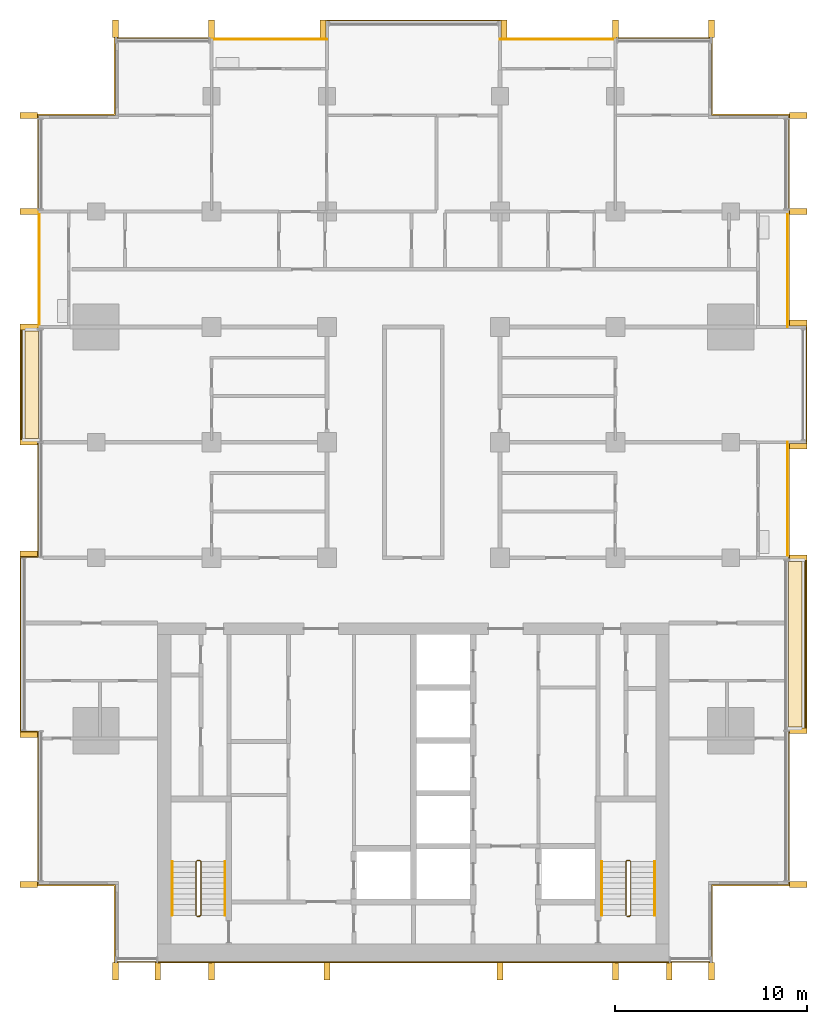
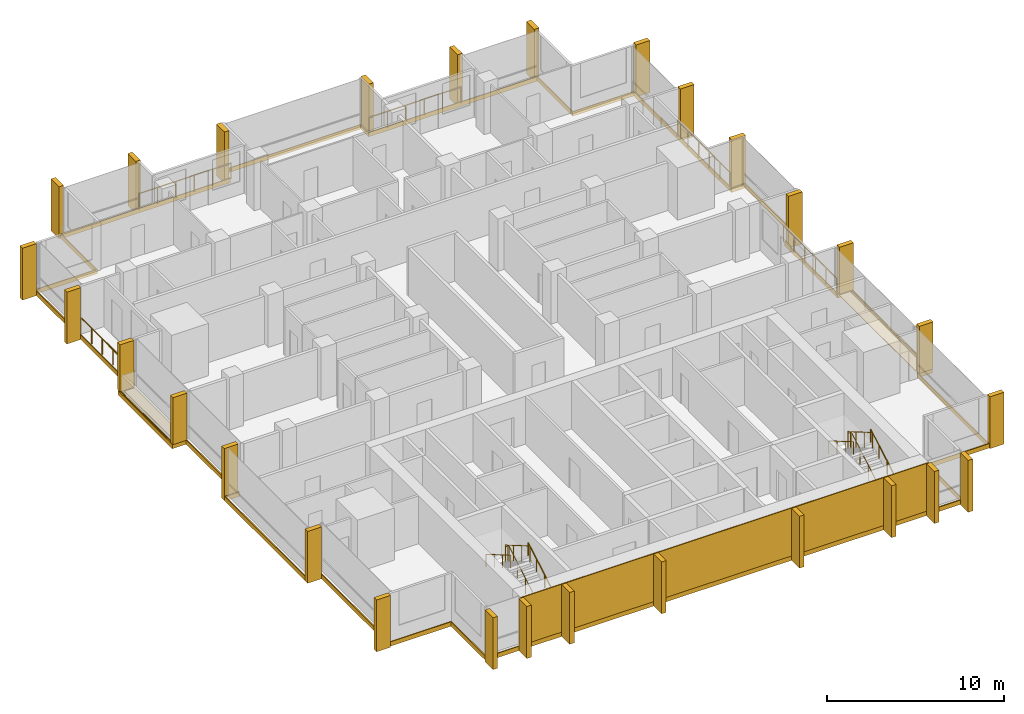
# One storey, part 17 of 17: 28 shading devices, 11 railings, 10 coverings.
"""IFC4 building model written with IfcOpenShell, lengths in metres."""

import ifcopenshell
import ifcopenshell.guid

model = None  # the IFC model being written
_history = None  # IfcOwnerHistory: only IFC2X3 demands one
_inside = {}  # id of a spatial element -> (the spatial element, [elements in it])
_under = {}  # id of a project, library or spatial element -> (it, [spatial elements below it])
_declared = {}  # id of a project -> (the project, [libraries it declares])
_typed = {}  # id of a type object -> (the type object, [elements of that type])
_made_of = {}  # id of a material, layer set ... -> (it, [elements and type objects made of it])


def new_model(schema):
    """Start an empty IFC model of exactly this schema.

    Asked for "IFC4X3", IfcOpenShell would pick the latest addendum, in which some entities
    have other attributes; the version numbers below select the first issue.
    IFC2X3 requires an IfcOwnerHistory on every rooted entity: one is made here for all.
    """
    global model, _history
    if schema == "IFC4X3":
        model = ifcopenshell.file(schema_version=(4, 3, 0, 0))
    else:
        model = ifcopenshell.file(schema=schema)
    _inside.clear()
    _under.clear()
    _declared.clear()
    _typed.clear()
    _made_of.clear()
    _history = None
    if model.schema == "IFC2X3":
        org = make("IfcOrganization", Name="unknown")
        user = make(
            "IfcPersonAndOrganization",
            ThePerson=make("IfcPerson", FamilyName="unknown"),
            TheOrganization=org,
        )
        app = make(
            "IfcApplication",
            ApplicationDeveloper=org,
            Version="unknown",
            ApplicationFullName="unknown",
            ApplicationIdentifier="unknown",
        )
        _history = make(
            "IfcOwnerHistory",
            OwningUser=user,
            OwningApplication=app,
            ChangeAction="ADDED",
            CreationDate=0,
        )
    return model


def make(cls, **values):
    """One entity of the class cls with the attributes given. An attribute that is None is left unset."""
    return model.create_entity(
        cls, **{name: value for name, value in values.items() if value is not None}
    )


def rooted(cls, **values):
    """An entity with a GlobalId (a new one), such as an element, a storey or a relation."""
    return make(cls, GlobalId=ifcopenshell.guid.new(), OwnerHistory=_history, **values)


def si_unit(unit_type, name, prefix=None):
    """IfcSIUnit, for example si_unit("LENGTHUNIT", "METRE", prefix="MILLI")."""
    return make("IfcSIUnit", UnitType=unit_type, Prefix=prefix, Name=name)


def assignment(units):
    """IfcUnitAssignment: the units of a project."""
    return None if units is None else make("IfcUnitAssignment", Units=units)


def point(xyz):
    """IfcCartesianPoint."""
    return None if xyz is None else make("IfcCartesianPoint", Coordinates=xyz)


def direction(xyz):
    """IfcDirection."""
    return None if xyz is None else make("IfcDirection", DirectionRatios=xyz)


def frame(location, z_axis=None, x_axis=None):
    """IfcAxis2Placement3D, a coordinate frame: its origin and axes. An axis left out is left unset."""
    return make(
        "IfcAxis2Placement3D",
        Location=point(location),
        Axis=direction(z_axis),
        RefDirection=direction(x_axis),
    )


def frame_2d(location, x_axis=None):
    """IfcAxis2Placement2D, a coordinate frame in the plane: its origin and x axis."""
    return make(
        "IfcAxis2Placement2D", Location=point(location), RefDirection=direction(x_axis)
    )


def origin():
    """The frame at (0, 0, 0) with its axes left unset."""
    return frame((0.0, 0.0, 0.0))


def origin_2d():
    """The frame at (0, 0) in the plane with its x axis left unset."""
    return frame_2d((0.0, 0.0))


def place(relative_to, where):
    """IfcLocalPlacement: puts the frame where relative to a parent placement (None: the world)."""
    return make(
        "IfcLocalPlacement", PlacementRelTo=relative_to, RelativePlacement=where
    )


def context(
    kind, dimensions, precision=None, world=None, true_north=None, identifier=None
):
    """IfcGeometricRepresentationContext, for example the 3D "Model" context."""
    return make(
        "IfcGeometricRepresentationContext",
        ContextIdentifier=identifier,
        ContextType=kind,
        CoordinateSpaceDimension=dimensions,
        Precision=precision,
        WorldCoordinateSystem=world,
        TrueNorth=true_north,
    )


def subcontext(parent, identifier, kind, view, scale=None):
    """IfcGeometricRepresentationSubContext, for example "Body" below "Model"."""
    return make(
        "IfcGeometricRepresentationSubContext",
        ContextIdentifier=identifier,
        ContextType=kind,
        ParentContext=parent,
        TargetScale=scale,
        TargetView=view,
    )


def project(units=None, contexts=None):
    """IfcProject with its units and contexts."""
    return rooted(
        "IfcProject",
        Name="project",
        RepresentationContexts=contexts,
        UnitsInContext=assignment(units),
    )


def spatial(cls, under=None, at=None, **own):
    """A site, building, storey or space (cls), placed at a placement, below another one or the project."""
    s = rooted(cls, ObjectPlacement=at, **own)
    if under is not None:
        _under.setdefault(under.id(), (under, []))[1].append(s)
    return s


def polyline(points):
    """IfcPolyline through the points."""
    return make("IfcPolyline", Points=[point(p) for p in points])


def profile(cls, at=None, kind="AREA", **sizes):
    """A parametric profile (cls). Its sizes go by their IFC names, for example OverallWidth=200.0."""
    return make(cls, ProfileType=kind, Position=at, **sizes)


def rectangle(**sizes):
    """IfcRectangleProfileDef."""
    return profile("IfcRectangleProfileDef", **sizes)


def circle(**sizes):
    """IfcCircleProfileDef."""
    return profile("IfcCircleProfileDef", **sizes)


def outline(outer, holes=None, kind="AREA"):
    """IfcArbitraryClosedProfileDef: a profile drawn as a closed curve; with holes, ...WithVoids."""
    if holes is None:
        return make("IfcArbitraryClosedProfileDef", ProfileType=kind, OuterCurve=outer)
    return make(
        "IfcArbitraryProfileDefWithVoids",
        ProfileType=kind,
        OuterCurve=outer,
        InnerCurves=holes,
    )


def extrude(swept, where, along, depth):
    """IfcExtrudedAreaSolid: the profile swept, set in the frame where, extruded along a direction by depth."""
    return make(
        "IfcExtrudedAreaSolid",
        SweptArea=swept,
        Position=where,
        ExtrudedDirection=direction(along),
        Depth=depth,
    )


def shape(context_of_items, identifier, shape_type, items):
    """IfcShapeRepresentation: the items that make up one representation, for example the "Body"."""
    return make(
        "IfcShapeRepresentation",
        ContextOfItems=context_of_items,
        RepresentationIdentifier=identifier,
        RepresentationType=shape_type,
        Items=items,
    )


def material(Name=None, Category=None):
    """IfcMaterial."""
    return make("IfcMaterial", Name=Name, Category=Category)


def layer(
    of_material, thickness, ventilated=None, Name=None, Category=None, Priority=None
):
    """IfcMaterialLayer: one layer of a wall or slab, of a material (None: an air gap)."""
    return make(
        "IfcMaterialLayer",
        Material=of_material,
        LayerThickness=thickness,
        IsVentilated=ventilated,
        Name=Name,
        Category=Category,
        Priority=Priority,
    )


def layer_set(layers, Name=None):
    """IfcMaterialLayerSet."""
    return make("IfcMaterialLayerSet", MaterialLayers=layers, LayerSetName=Name)


def made_of(thing, what):
    """Note that an element or type object is made of a material, layer set ...; save() writes the relation."""
    if what is not None:
        _made_of.setdefault(what.id(), (what, []))[1].append(thing)
    return thing


def type_object(cls, material=None, **own):
    """A type object (cls), such as IfcWallType, which elements share."""
    return made_of(rooted(cls, **own), material)


def element(
    cls,
    number,
    at=None,
    inside=None,
    cuts=None,
    type_object=None,
    material=None,
    context=None,
    identifier="Body",
    shape_type=None,
    held_by="IfcProductDefinitionShape",
    body=None,
    shapes=None,
    **own,
):
    """One element of the class cls, such as IfcWall. Its Tag is "e" and its number.

    at: its placement. inside: the storey or other place that contains it. cuts: it is an
    opening in that element (IfcRelVoidsElement). A single representation is given by context,
    identifier, shape_type and body (its items); several are given by shapes. held_by: the class
    of the entity that holds the representations. save() writes the other relations.
    """
    e = rooted(cls, Tag="e%d" % number, ObjectPlacement=at, **own)
    if body is not None:
        shapes = [shape(context, identifier, shape_type, body)]
    if shapes is not None:
        e.Representation = make(held_by, Representations=shapes)
    if inside is not None:
        _inside.setdefault(inside.id(), (inside, []))[1].append(e)
    if cuts is not None:
        rooted(
            "IfcRelVoidsElement", RelatingBuildingElement=cuts, RelatedOpeningElement=e
        )
    if type_object is not None:
        _typed.setdefault(type_object.id(), (type_object, []))[1].append(e)
    return made_of(e, material)


def aggregate(whole, parts):
    """IfcRelAggregates: a whole, such as a stair, and the parts it consists of."""
    return rooted("IfcRelAggregates", RelatingObject=whole, RelatedObjects=parts)


def save(model, path):
    """Write the relations noted so far, then the file.

    IfcRelAggregates (storeys below a building ...), IfcRelContainedInSpatialStructure (elements
    in a storey), IfcRelDefinesByType, IfcRelAssociatesMaterial and IfcRelDeclares: one each for
    every whole, place, type object, material and project.
    """
    for whole, parts in _under.values():
        aggregate(whole, parts)
    for where, things in _inside.values():
        rooted(
            "IfcRelContainedInSpatialStructure",
            RelatedElements=things,
            RelatingStructure=where,
        )
    for kind, things in _typed.values():
        rooted("IfcRelDefinesByType", RelatedObjects=things, RelatingType=kind)
    for what, things in _made_of.values():
        rooted("IfcRelAssociatesMaterial", RelatedObjects=things, RelatingMaterial=what)
    for by, libraries in _declared.values():
        rooted("IfcRelDeclares", RelatingContext=by, RelatedDefinitions=libraries)
    model.write(path)


model = new_model("IFC4")

# Units and contexts
model_context = context("Model", 3, precision=1e-05, world=origin(), true_north=direction((0.0, 1.0)))
body_context = subcontext(model_context, "Body", "Model", "MODEL_VIEW")
ifc_project = project(units=[si_unit("LENGTHUNIT", "METRE"), si_unit("AREAUNIT", "SQUARE_METRE"), si_unit("VOLUMEUNIT", "CUBIC_METRE"), si_unit("PLANEANGLEUNIT", "RADIAN"), si_unit("MASSUNIT", "GRAM", prefix="KILO")], contexts=[model_context])

# Site, building, storey
site_placement = place(None, origin())
site = spatial("IfcSite", under=ifc_project, at=site_placement, CompositionType="ELEMENT")
building_placement = place(site_placement, origin())
building = spatial("IfcBuilding", under=site, at=building_placement, Name="Finial Court Residences", CompositionType="ELEMENT")
storey_placement = place(building_placement, frame((0.0, 0.0, 181.699951171875)))
storey = spatial("IfcBuildingStorey", under=building, at=storey_placement, Name="L45", CompositionType="ELEMENT", Elevation=181.699951171875)

# Railings
ifc_material_1 = material(Name="Bronze anodised aluminium", Category="aluminium")
railing_type_1 = type_object("IfcRailingType", Name="Balcony guard 1100", PredefinedType="GUARDRAIL", material=ifc_material_1)
for number, where, name in (
    (1, (-10.5, 22.449951171875, 0.0), "E-L45-BALN2-R"),
    (2, (4.5, 22.449951171875, 0.0), "E-L45-BALN4-R"),
):
    element("IfcRailing", number, at=place(storey_placement, frame(where)), inside=storey, type_object=railing_type_1, Name=name, PredefinedType="GUARDRAIL", context=body_context, shape_type="SweptSolid", body=[
        extrude(circle(Radius=0.02392578125, at=origin_2d()), frame((0.0, 0.0, 1.076171875), z_axis=(1.0, 0.0, 0.0), x_axis=(0.0, 1.0, 0.0)), (0.0, 0.0, 1.0), 6.0),
        extrude(circle(Radius=0.02099609375, at=origin_2d()), origin(), (0.0, 0.0, 1.0), 1.052001953125),
        extrude(circle(Radius=0.02099609375, at=origin_2d()), frame((1.199951171875, 0.0, 0.0)), (0.0, 0.0, 1.0), 1.052001953125),
        extrude(circle(Radius=0.02099609375, at=origin_2d()), frame((2.39990234375, 0.0, 0.0)), (0.0, 0.0, 1.0), 1.052001953125),
        extrude(circle(Radius=0.02099609375, at=origin_2d()), frame((3.60009765625, 0.0, 0.0)), (0.0, 0.0, 1.0), 1.052001953125),
        extrude(circle(Radius=0.02099609375, at=origin_2d()), frame((4.800048828125, 0.0, 0.0)), (0.0, 0.0, 1.0), 1.052001953125),
        extrude(circle(Radius=0.02099609375, at=origin_2d()), frame((6.0, 0.0, 0.0)), (0.0, 0.0, 1.0), 1.052001953125),
    ])
for number, where, name in (
    (3, (19.449951171875, -4.5, 0.0), "E-L45-BALE3-R"),
    (4, (19.449951171875, 7.5, 0.0), "E-L45-BALE5-R"),
    (5, (-19.449951171875, 7.5, 0.0), "E-L45-BALW5-R"),
):
    element("IfcRailing", number, at=place(storey_placement, frame(where)), inside=storey, type_object=railing_type_1, Name=name, PredefinedType="GUARDRAIL", context=body_context, shape_type="SweptSolid", body=[
        extrude(circle(Radius=0.02392578125, at=origin_2d()), frame((0.0, 0.0, 1.076171875), z_axis=(0.0, 1.0, 0.0), x_axis=(-1.0, 0.0, 0.0)), (0.0, 0.0, 1.0), 6.0),
        extrude(circle(Radius=0.02099609375, at=origin_2d()), origin(), (0.0, 0.0, 1.0), 1.052001953125),
        extrude(circle(Radius=0.02099609375, at=origin_2d()), frame((0.0, 1.199951171875, 0.0)), (0.0, 0.0, 1.0), 1.052001953125),
        extrude(circle(Radius=0.02099609375, at=origin_2d()), frame((0.0, 2.39990234375, 0.0)), (0.0, 0.0, 1.0), 1.052001953125),
        extrude(circle(Radius=0.02099609375, at=origin_2d()), frame((0.0, 3.60009765625, 0.0)), (0.0, 0.0, 1.0), 1.052001953125),
        extrude(circle(Radius=0.02099609375, at=origin_2d()), frame((0.0, 4.800048828125, 0.0)), (0.0, 0.0, 1.0), 1.052001953125),
        extrude(circle(Radius=0.02099609375, at=origin_2d()), frame((0.0, 6.0, 0.0)), (0.0, 0.0, 1.0), 1.052001953125),
    ])

# Coverings
ifc_material_2 = material(Name="Natural limestone", Category="masonry")
ifc_layer_1 = layer(ifc_material_2, 0.06005859375)
ifc_layer_set_1 = layer_set([ifc_layer_1], Name="Limestone cladding to the blind core face 60")
covering_type_1 = type_object("IfcCoveringType", Name="Limestone cladding to the blind core face 60", PredefinedType="CLADDING", material=ifc_layer_set_1)
covering_1_placement = place(storey_placement, origin())
element("IfcCovering", 6, at=covering_1_placement, inside=storey, type_object=covering_type_1, Name="E-L45-CLAD1", PredefinedType="CLADDING", context=body_context, shape_type="SweptSolid", body=[
    extrude(outline(polyline([(-10.5, -25.56005859375), (-10.5, -25.5), (-13.300048828125, -25.5), (-13.300048828125, -25.56005859375), (-10.5, -25.56005859375)])), origin(), (0.0, 0.0, 1.0), 3.300048828125),
])
covering_2_placement = place(storey_placement, origin())
element("IfcCovering", 7, at=covering_2_placement, inside=storey, type_object=covering_type_1, Name="E-L45-CLAD2", PredefinedType="CLADDING", context=body_context, shape_type="SweptSolid", body=[
    extrude(outline(polyline([(-4.5, -25.56005859375), (-4.5, -25.5), (-10.5, -25.5), (-10.5, -25.56005859375), (-4.5, -25.56005859375)])), origin(), (0.0, 0.0, 1.0), 3.300048828125),
])
covering_3_placement = place(storey_placement, origin())
element("IfcCovering", 8, at=covering_3_placement, inside=storey, type_object=covering_type_1, Name="E-L45-CLAD3", PredefinedType="CLADDING", context=body_context, shape_type="SweptSolid", body=[
    extrude(outline(polyline([(4.5, -25.56005859375), (4.5, -25.5), (-4.5, -25.5), (-4.5, -25.56005859375), (4.5, -25.56005859375)])), origin(), (0.0, 0.0, 1.0), 3.300048828125),
])
covering_4_placement = place(storey_placement, origin())
element("IfcCovering", 9, at=covering_4_placement, inside=storey, type_object=covering_type_1, Name="E-L45-CLAD4", PredefinedType="CLADDING", context=body_context, shape_type="SweptSolid", body=[
    extrude(outline(polyline([(10.5, -25.56005859375), (10.5, -25.5), (4.5, -25.5), (4.5, -25.56005859375), (10.5, -25.56005859375)])), origin(), (0.0, 0.0, 1.0), 3.300048828125),
])
covering_5_placement = place(storey_placement, origin())
element("IfcCovering", 10, at=covering_5_placement, inside=storey, type_object=covering_type_1, Name="E-L45-CLAD5", PredefinedType="CLADDING", context=body_context, shape_type="SweptSolid", body=[
    extrude(outline(polyline([(13.300048828125, -25.56005859375), (13.300048828125, -25.5), (10.5, -25.5), (10.5, -25.56005859375), (13.300048828125, -25.56005859375)])), origin(), (0.0, 0.0, 1.0), 3.300048828125),
])

# Shading devices
shading_device_type = type_object("IfcShadingDeviceType", Name="Limestone fin 300 x 900", PredefinedType="USERDEFINED", material=ifc_material_2)
for number, where, z_axis, x_axis, name in (
    (11, (-15.5, 23.010009765625, -0.300048828125), (0.0, 0.0, 1.0), (1.0, 0.0, 0.0), "E-L45-FIN-N1"),
    (12, (-10.5, 23.010009765625, -0.300048828125), (0.0, 0.0, 1.0), (1.0, 0.0, 0.0), "E-L45-FIN-N2"),
    (13, (-4.7099609375, 23.010009765625, -0.300048828125), (0.0, 0.0, 1.0), (1.0, 0.0, 0.0), "E-L45-FIN-N3"),
    (14, (4.7099609375, 23.010009765625, -0.300048828125), (0.0, 0.0, 1.0), (1.0, 0.0, 0.0), "E-L45-FIN-N4"),
    (15, (10.5, 23.010009765625, -0.300048828125), (0.0, 0.0, 1.0), (1.0, 0.0, 0.0), "E-L45-FIN-N5"),
    (16, (15.5, 23.010009765625, -0.300048828125), (0.0, 0.0, 1.0), (1.0, 0.0, 0.0), "E-L45-FIN-N6"),
):
    element("IfcShadingDevice", number, at=place(storey_placement, frame(where, z_axis=z_axis, x_axis=x_axis)), inside=storey, type_object=shading_device_type, Name=name, ObjectType="FIN", PredefinedType="USERDEFINED", context=body_context, shape_type="SweptSolid", body=[
        extrude(rectangle(XDim=0.300048828125, YDim=0.89990234375, at=origin_2d()), origin(), (0.0, 0.0, 1.0), 3.580078125),
    ])
shading_device_placement = place(storey_placement, frame((20.010009765625, -21.5, -0.300048828125), z_axis=(0.0, 0.0, 1.0), x_axis=(1.0, 0.0, 0.0)))
element("IfcShadingDevice", 17, at=shading_device_placement, inside=storey, type_object=shading_device_type, Name="E-L45-FIN-E7", ObjectType="FIN", PredefinedType="USERDEFINED", context=body_context, shape_type="SweptSolid", body=[
    extrude(rectangle(XDim=0.89990234375, YDim=0.300048828125, at=origin_2d()), origin(), (0.0, 0.0, 1.0), 3.580078125),
])
for number, where, z_axis, x_axis, name in (
    (18, (20.010009765625, -13.5, 0.0400390625), (0.0, 0.0, 1.0), (1.0, 0.0, 0.0), "E-L45-FIN-E8"),
    (19, (20.010009765625, -4.5, 0.0400390625), (0.0, 0.0, 1.0), (1.0, 0.0, 0.0), "E-L45-FIN-E9"),
):
    element("IfcShadingDevice", number, at=place(storey_placement, frame(where, z_axis=z_axis, x_axis=x_axis)), inside=storey, type_object=shading_device_type, Name=name, ObjectType="FIN", PredefinedType="USERDEFINED", context=body_context, shape_type="SweptSolid", body=[
        extrude(rectangle(XDim=0.89990234375, YDim=0.300048828125, at=origin_2d()), origin(), (0.0, 0.0, 1.0), 3.239990234375),
    ])
for number, where, z_axis, x_axis, name in (
    (20, (20.010009765625, 1.2900390625, -0.300048828125), (0.0, 0.0, 1.0), (1.0, 0.0, 0.0), "E-L45-FIN-E10"),
    (21, (20.010009765625, 7.7099609375, -0.300048828125), (0.0, 0.0, 1.0), (1.0, 0.0, 0.0), "E-L45-FIN-E11"),
    (22, (20.010009765625, 13.5, -0.300048828125), (0.0, 0.0, 1.0), (1.0, 0.0, 0.0), "E-L45-FIN-E12"),
    (23, (20.010009765625, 18.5, -0.300048828125), (0.0, 0.0, 1.0), (1.0, 0.0, 0.0), "E-L45-FIN-E13"),
):
    element("IfcShadingDevice", number, at=place(storey_placement, frame(where, z_axis=z_axis, x_axis=x_axis)), inside=storey, type_object=shading_device_type, Name=name, ObjectType="FIN", PredefinedType="USERDEFINED", context=body_context, shape_type="SweptSolid", body=[
        extrude(rectangle(XDim=0.89990234375, YDim=0.300048828125, at=origin_2d()), origin(), (0.0, 0.0, 1.0), 3.580078125),
    ])
for number, where, z_axis, x_axis, name in (
    (24, (-15.5, -26.010009765625, -0.300048828125), (0.0, 0.0, 1.0), (1.0, 0.0, 0.0), "E-L45-FIN-S14"),
    (25, (-13.300048828125, -26.010009765625, -0.300048828125), (0.0, 0.0, 1.0), (1.0, 0.0, 0.0), "E-L45-FIN-S15"),
    (26, (-10.5, -26.010009765625, -0.300048828125), (0.0, 0.0, 1.0), (1.0, 0.0, 0.0), "E-L45-FIN-S16"),
    (27, (-4.5, -26.010009765625, -0.300048828125), (0.0, 0.0, 1.0), (1.0, 0.0, 0.0), "E-L45-FIN-S17"),
    (28, (4.5, -26.010009765625, -0.300048828125), (0.0, 0.0, 1.0), (1.0, 0.0, 0.0), "E-L45-FIN-S18"),
    (29, (10.5, -26.010009765625, -0.300048828125), (0.0, 0.0, 1.0), (1.0, 0.0, 0.0), "E-L45-FIN-S19"),
    (30, (13.300048828125, -26.010009765625, -0.300048828125), (0.0, 0.0, 1.0), (1.0, 0.0, 0.0), "E-L45-FIN-S20"),
    (31, (15.5, -26.010009765625, -0.300048828125), (0.0, 0.0, 1.0), (1.0, 0.0, 0.0), "E-L45-FIN-S21"),
):
    element("IfcShadingDevice", number, at=place(storey_placement, frame(where, z_axis=z_axis, x_axis=x_axis)), inside=storey, type_object=shading_device_type, Name=name, ObjectType="FIN", PredefinedType="USERDEFINED", context=body_context, shape_type="SweptSolid", body=[
        extrude(rectangle(XDim=0.300048828125, YDim=0.89990234375, at=origin_2d()), origin(), (0.0, 0.0, 1.0), 3.580078125),
    ])
for number, where, z_axis, x_axis, name in (
    (32, (-20.010009765625, -21.5, -0.300048828125), (0.0, 0.0, 1.0), (1.0, 0.0, 0.0), "E-L45-FIN-W22"),
    (33, (-20.010009765625, -13.7099609375, -0.300048828125), (0.0, 0.0, 1.0), (1.0, 0.0, 0.0), "E-L45-FIN-W23"),
    (34, (-20.010009765625, -4.2900390625, -0.300048828125), (0.0, 0.0, 1.0), (1.0, 0.0, 0.0), "E-L45-FIN-W24"),
):
    element("IfcShadingDevice", number, at=place(storey_placement, frame(where, z_axis=z_axis, x_axis=x_axis)), inside=storey, type_object=shading_device_type, Name=name, ObjectType="FIN", PredefinedType="USERDEFINED", context=body_context, shape_type="SweptSolid", body=[
        extrude(rectangle(XDim=0.89990234375, YDim=0.300048828125, at=origin_2d()), origin(), (0.0, 0.0, 1.0), 3.580078125),
    ])
for number, where, z_axis, x_axis, name in (
    (35, (-20.010009765625, 1.5, 0.0400390625), (0.0, 0.0, 1.0), (1.0, 0.0, 0.0), "E-L45-FIN-W25"),
    (36, (-20.010009765625, 7.5, 0.0400390625), (0.0, 0.0, 1.0), (1.0, 0.0, 0.0), "E-L45-FIN-W26"),
):
    element("IfcShadingDevice", number, at=place(storey_placement, frame(where, z_axis=z_axis, x_axis=x_axis)), inside=storey, type_object=shading_device_type, Name=name, ObjectType="FIN", PredefinedType="USERDEFINED", context=body_context, shape_type="SweptSolid", body=[
        extrude(rectangle(XDim=0.89990234375, YDim=0.300048828125, at=origin_2d()), origin(), (0.0, 0.0, 1.0), 3.239990234375),
    ])
for number, where, z_axis, x_axis, name in (
    (37, (-20.010009765625, 13.5, -0.300048828125), (0.0, 0.0, 1.0), (1.0, 0.0, 0.0), "E-L45-FIN-W27"),
    (38, (-20.010009765625, 18.5, -0.300048828125), (0.0, 0.0, 1.0), (1.0, 0.0, 0.0), "E-L45-FIN-W28"),
):
    element("IfcShadingDevice", number, at=place(storey_placement, frame(where, z_axis=z_axis, x_axis=x_axis)), inside=storey, type_object=shading_device_type, Name=name, ObjectType="FIN", PredefinedType="USERDEFINED", context=body_context, shape_type="SweptSolid", body=[
        extrude(rectangle(XDim=0.89990234375, YDim=0.300048828125, at=origin_2d()), origin(), (0.0, 0.0, 1.0), 3.580078125),
    ])

# Coverings
ifc_material_3 = material(Name="Pale limestone", Category="masonry")
ifc_layer_2 = layer(ifc_material_3, 0.06005859375)
ifc_layer_set_2 = layer_set([ifc_layer_2], Name="Pale limestone slab-edge band 60")
covering_type_2 = type_object("IfcCoveringType", Name="Pale limestone slab-edge band 60", PredefinedType="CLADDING", material=ifc_layer_set_2)
covering_6_placement = place(storey_placement, frame((0.0, 0.0, -0.300048828125)))
element("IfcCovering", 39, at=covering_6_placement, inside=storey, type_object=covering_type_2, Name="E-L45-BAND1", PredefinedType="CLADDING", context=body_context, shape_type="SweptSolid", body=[
    extrude(outline(polyline([(19.56005859375, -13.56005859375), (19.56005859375, -21.56005859375), (15.56005859375, -21.56005859375), (15.56005859375, -25.56005859375), (-15.56005859375, -25.56005859375), (-15.56005859375, -21.56005859375), (-19.56005859375, -21.56005859375), (-19.56005859375, -13.56005859375), (-20.4599609375, -13.56005859375), (-20.4599609375, -4.43994140625), (-19.56005859375, -4.43994140625), (-19.56005859375, 1.43994140625), (-20.4599609375, 1.43994140625), (-20.4599609375, 7.56005859375), (-19.56005859375, 7.56005859375), (-19.56005859375, 18.56005859375), (-15.56005859375, 18.56005859375), (-15.56005859375, 22.56005859375), (-4.56005859375, 22.56005859375), (-4.56005859375, 23.4599609375), (4.56005859375, 23.4599609375), (4.56005859375, 22.56005859375), (15.56005859375, 22.56005859375), (15.56005859375, 18.56005859375), (19.56005859375, 18.56005859375), (19.56005859375, 7.56005859375), (20.4599609375, 7.56005859375), (20.4599609375, 1.43994140625), (19.56005859375, 1.43994140625), (19.56005859375, -4.43994140625), (20.4599609375, -4.43994140625), (20.4599609375, -13.56005859375), (19.56005859375, -13.56005859375)]), holes=[polyline([(20.39990234375, -4.5), (19.5, -4.5), (19.5, 1.5), (20.39990234375, 1.5), (20.39990234375, 7.5), (19.5, 7.5), (19.5, 13.5), (19.5, 18.5), (15.5, 18.5), (15.5, 22.5), (10.5, 22.5), (4.5, 22.5), (4.5, 23.39990234375), (-4.5, 23.39990234375), (-4.5, 22.5), (-10.5, 22.5), (-15.5, 22.5), (-15.5, 18.5), (-19.5, 18.5), (-19.5, 13.5), (-19.5, 7.5), (-20.39990234375, 7.5), (-20.39990234375, 1.5), (-19.5, 1.5), (-19.5, -4.5), (-20.39990234375, -4.5), (-20.39990234375, -13.5), (-19.5, -13.5), (-19.5, -21.5), (-15.5, -21.5), (-15.5, -25.5), (15.5, -25.5), (15.5, -21.5), (19.5, -21.5), (19.5, -13.5), (20.39990234375, -13.5), (20.39990234375, -4.5)])]), origin(), (0.0, 0.0, 1.0), 0.300048828125),
])
ifc_material_4 = material(Name="Bitumen membrane")
ifc_layer_3 = layer(ifc_material_4, 0.0400390625)
ifc_layer_set_3 = layer_set([ifc_layer_3], Name="Push box roofing, bitumen membrane 40")
covering_type_3 = type_object("IfcCoveringType", Name="Push box roofing, bitumen membrane 40", PredefinedType="ROOFING", material=ifc_layer_set_3)
covering_7_placement = place(storey_placement, origin())
element("IfcCovering", 40, at=covering_7_placement, inside=storey, type_object=covering_type_3, Name="E-L45-LED1", PredefinedType="ROOFING", context=body_context, shape_type="SweptSolid", body=[
    extrude(outline(polyline([(-19.5, 7.449951171875), (-20.199951171875, 7.449951171875), (-20.35009765625, 7.449951171875), (-20.35009765625, 1.699951171875), (-20.35009765625, 1.699951171875), (-20.35009765625, 1.550048828125), (-19.5, 1.550048828125), (-19.5, 1.5), (-20.39990234375, 1.5), (-20.39990234375, 7.5), (-19.5, 7.5), (-19.5, 7.449951171875)])), origin(), (0.0, 0.0, 1.0), 0.0400390625),
])
covering_8_placement = place(storey_placement, origin())
element("IfcCovering", 41, at=covering_8_placement, inside=storey, type_object=covering_type_3, Name="E-L45-LED1b", PredefinedType="ROOFING", context=body_context, shape_type="SweptSolid", body=[
    extrude(outline(polyline([(-19.5, 1.699951171875), (-20.199951171875, 1.699951171875), (-20.199951171875, 7.300048828125), (-19.5, 7.300048828125), (-19.5, 1.699951171875)])), origin(), (0.0, 0.0, 1.0), 0.0400390625),
])
covering_9_placement = place(storey_placement, origin())
element("IfcCovering", 42, at=covering_9_placement, inside=storey, type_object=covering_type_3, Name="E-L45-LED2", PredefinedType="ROOFING", context=body_context, shape_type="SweptSolid", body=[
    extrude(outline(polyline([(19.5, -13.449951171875), (20.199951171875, -13.449951171875), (20.35009765625, -13.449951171875), (20.35009765625, -4.699951171875), (20.35009765625, -4.699951171875), (20.35009765625, -4.550048828125), (19.5, -4.550048828125), (19.5, -4.5), (20.39990234375, -4.5), (20.39990234375, -13.5), (19.5, -13.5), (19.5, -13.449951171875)])), origin(), (0.0, 0.0, 1.0), 0.0400390625),
])
covering_10_placement = place(storey_placement, origin())
element("IfcCovering", 43, at=covering_10_placement, inside=storey, type_object=covering_type_3, Name="E-L45-LED2b", PredefinedType="ROOFING", context=body_context, shape_type="SweptSolid", body=[
    extrude(outline(polyline([(19.5, -4.699951171875), (20.199951171875, -4.699951171875), (20.199951171875, -13.300048828125), (19.5, -13.300048828125), (19.5, -4.699951171875)])), origin(), (0.0, 0.0, 1.0), 0.0400390625),
])

# Railings
ifc_material_5 = material(Name="Stainless steel railing", Category="steel")
railing_type_2 = type_object("IfcRailingType", Name="Stair guard 1100", PredefinedType="GUARDRAIL", material=ifc_material_5)
railing_1_placement = place(storey_placement, frame((-11.10009765625, -23.14990234375, 0.0)))
element("IfcRailing", 44, at=railing_1_placement, inside=storey, type_object=railing_type_2, Name="L45 ST-1 stair guard 1", PredefinedType="GUARDRAIL", context=body_context, shape_type="SweptSolid", body=[
    extrude(circle(Radius=0.02392578125, at=origin_2d()), frame((0.0, 0.0, 1.076171875), z_axis=(-1.0, 0.0, 0.0), x_axis=(0.0, -1.0, 0.0)), (0.0, 0.0, 1.0), 0.14990234375),
    extrude(circle(Radius=0.02392578125, at=origin_2d()), frame((-0.14990234375, 0.0, 1.076171875), z_axis=(0.760004195007, 0.189305074214, 0.621737253547), x_axis=(-0.241699205484, 0.970351222016, 0.0)), (0.0, 0.0, 1.0), 0.26318359375),
    extrude(circle(Radius=0.02392578125, at=origin_2d()), frame((0.050048828125, 0.0498046875, 1.23974609375), z_axis=(0.0, 0.863360870873, 0.504586966384), x_axis=(-1.0, 0.0, 0.0)), (0.0, 0.0, 1.0), 3.2431640625),
    extrude(circle(Radius=0.02392578125, at=origin_2d()), frame((0.050048828125, 2.849853515625, 2.8759765625), z_axis=(-0.707106781187, 0.707106781187, 0.0), x_axis=(-0.707106781187, -0.707106781187, 0.0)), (0.0, 0.0, 1.0), 0.07080078125),
    extrude(circle(Radius=0.02392578125, at=origin_2d()), frame((0.0, 2.89990234375, 2.8759765625), z_axis=(-1.0, 0.0, 0.0), x_axis=(0.0, -1.0, 0.0)), (0.0, 0.0, 1.0), 0.14990234375),
    extrude(circle(Radius=0.02392578125, at=origin_2d()), frame((-0.14990234375, 2.89990234375, 2.8759765625), z_axis=(-0.280808744504, -0.280808744504, 0.917765164963), x_axis=(0.707106781187, -0.707106781187, 0.0)), (0.0, 0.0, 1.0), 0.17822265625),
    extrude(circle(Radius=0.02392578125, at=origin_2d()), frame((-0.199951171875, 2.849853515625, 3.03955078125), z_axis=(0.0, -0.863360870873, 0.504586966384), x_axis=(1.0, 0.0, 0.0)), (0.0, 0.0, 1.0), 3.2431640625),
    extrude(circle(Radius=0.02099609375, at=origin_2d()), origin(), (0.0, 0.0, 1.0), 1.052001953125),
    extrude(circle(Radius=0.02099609375, at=origin_2d()), frame((-0.14990234375, 0.0, 0.0)), (0.0, 0.0, 1.0), 1.052001953125),
    extrude(circle(Radius=0.02099609375, at=origin_2d()), frame((0.050048828125, 0.0498046875, 0.16357421875)), (0.0, 0.0, 1.0), 1.052001953125),
    extrude(circle(Radius=0.02099609375, at=origin_2d()), frame((0.050048828125, 0.983154296875, 0.708984375)), (0.0, 0.0, 1.0), 1.052001953125),
    extrude(circle(Radius=0.02099609375, at=origin_2d()), frame((0.050048828125, 1.91650390625, 1.254638671875)), (0.0, 0.0, 1.0), 1.052001953125),
    extrude(circle(Radius=0.02099609375, at=origin_2d()), frame((0.050048828125, 2.849853515625, 1.800048828125)), (0.0, 0.0, 1.0), 1.052001953125),
    extrude(circle(Radius=0.02099609375, at=origin_2d()), frame((0.0, 2.89990234375, 1.800048828125)), (0.0, 0.0, 1.0), 1.052001953125),
    extrude(circle(Radius=0.02099609375, at=origin_2d()), frame((-0.14990234375, 2.89990234375, 1.800048828125)), (0.0, 0.0, 1.0), 1.052001953125),
    extrude(circle(Radius=0.02099609375, at=origin_2d()), frame((-0.199951171875, 2.849853515625, 1.963623046875)), (0.0, 0.0, 1.0), 1.052001953125),
    extrude(circle(Radius=0.02099609375, at=origin_2d()), frame((-0.199951171875, 1.91650390625, 2.509033203125)), (0.0, 0.0, 1.0), 1.052001953125),
    extrude(circle(Radius=0.02099609375, at=origin_2d()), frame((-0.199951171875, 0.983154296875, 3.0546875)), (0.0, 0.0, 1.0), 1.052001953125),
    extrude(circle(Radius=0.02099609375, at=origin_2d()), frame((-0.199951171875, 0.0498046875, 3.60009765625)), (0.0, 0.0, 1.0), 1.052001953125),
])
railing_2_placement = place(storey_placement, frame((11.25, -23.14990234375, 0.0)))
element("IfcRailing", 45, at=railing_2_placement, inside=storey, type_object=railing_type_2, Name="L45 ST-2 stair guard 1", PredefinedType="GUARDRAIL", context=body_context, shape_type="SweptSolid", body=[
    extrude(circle(Radius=0.02392578125, at=origin_2d()), frame((0.0, 0.0, 1.076171875), z_axis=(-1.0, 0.0, 0.0), x_axis=(0.0, -1.0, 0.0)), (0.0, 0.0, 1.0), 0.14990234375),
    extrude(circle(Radius=0.02392578125, at=origin_2d()), frame((-0.14990234375, 0.0, 1.076171875), z_axis=(0.760004195007, 0.189305074214, 0.621737253547), x_axis=(-0.241699205484, 0.970351222016, 0.0)), (0.0, 0.0, 1.0), 0.26318359375),
    extrude(circle(Radius=0.02392578125, at=origin_2d()), frame((0.050048828125, 0.0498046875, 1.23974609375), z_axis=(0.0, 0.863360870873, 0.504586966384), x_axis=(-1.0, 0.0, 0.0)), (0.0, 0.0, 1.0), 3.2431640625),
    extrude(circle(Radius=0.02392578125, at=origin_2d()), frame((0.050048828125, 2.849853515625, 2.8759765625), z_axis=(-0.707106781187, 0.707106781187, 0.0), x_axis=(-0.707106781187, -0.707106781187, 0.0)), (0.0, 0.0, 1.0), 0.07080078125),
    extrude(circle(Radius=0.02392578125, at=origin_2d()), frame((0.0, 2.89990234375, 2.8759765625), z_axis=(-1.0, 0.0, 0.0), x_axis=(0.0, -1.0, 0.0)), (0.0, 0.0, 1.0), 0.14990234375),
    extrude(circle(Radius=0.02392578125, at=origin_2d()), frame((-0.14990234375, 2.89990234375, 2.8759765625), z_axis=(-0.280808744504, -0.280808744504, 0.917765164963), x_axis=(0.707106781187, -0.707106781187, 0.0)), (0.0, 0.0, 1.0), 0.17822265625),
    extrude(circle(Radius=0.02392578125, at=origin_2d()), frame((-0.199951171875, 2.849853515625, 3.03955078125), z_axis=(0.0, -0.863360870873, 0.504586966384), x_axis=(1.0, 0.0, 0.0)), (0.0, 0.0, 1.0), 3.2431640625),
    extrude(circle(Radius=0.02099609375, at=origin_2d()), origin(), (0.0, 0.0, 1.0), 1.052001953125),
    extrude(circle(Radius=0.02099609375, at=origin_2d()), frame((-0.14990234375, 0.0, 0.0)), (0.0, 0.0, 1.0), 1.052001953125),
    extrude(circle(Radius=0.02099609375, at=origin_2d()), frame((0.050048828125, 0.0498046875, 0.16357421875)), (0.0, 0.0, 1.0), 1.052001953125),
    extrude(circle(Radius=0.02099609375, at=origin_2d()), frame((0.050048828125, 0.983154296875, 0.708984375)), (0.0, 0.0, 1.0), 1.052001953125),
    extrude(circle(Radius=0.02099609375, at=origin_2d()), frame((0.050048828125, 1.91650390625, 1.254638671875)), (0.0, 0.0, 1.0), 1.052001953125),
    extrude(circle(Radius=0.02099609375, at=origin_2d()), frame((0.050048828125, 2.849853515625, 1.800048828125)), (0.0, 0.0, 1.0), 1.052001953125),
    extrude(circle(Radius=0.02099609375, at=origin_2d()), frame((0.0, 2.89990234375, 1.800048828125)), (0.0, 0.0, 1.0), 1.052001953125),
    extrude(circle(Radius=0.02099609375, at=origin_2d()), frame((-0.14990234375, 2.89990234375, 1.800048828125)), (0.0, 0.0, 1.0), 1.052001953125),
    extrude(circle(Radius=0.02099609375, at=origin_2d()), frame((-0.199951171875, 2.849853515625, 1.963623046875)), (0.0, 0.0, 1.0), 1.052001953125),
    extrude(circle(Radius=0.02099609375, at=origin_2d()), frame((-0.199951171875, 1.91650390625, 2.509033203125)), (0.0, 0.0, 1.0), 1.052001953125),
    extrude(circle(Radius=0.02099609375, at=origin_2d()), frame((-0.199951171875, 0.983154296875, 3.0546875)), (0.0, 0.0, 1.0), 1.052001953125),
    extrude(circle(Radius=0.02099609375, at=origin_2d()), frame((-0.199951171875, 0.0498046875, 3.60009765625)), (0.0, 0.0, 1.0), 1.052001953125),
])
railing_type_3 = type_object("IfcRailingType", Name="Stair handrail 900", PredefinedType="HANDRAIL", material=ifc_material_5)
railing_3_placement = place(storey_placement, frame((-9.800048828125, -23.10009765625, 0.16357421875)))
element("IfcRailing", 46, at=railing_3_placement, inside=storey, type_object=railing_type_3, Name="L45 ST-1 stair handrail 1", PredefinedType="HANDRAIL", context=body_context, shape_type="SweptSolid", body=[
    extrude(circle(Radius=0.02392578125, at=origin_2d()), frame((0.0, 0.0, 0.8759765625), z_axis=(0.0, 0.863360870873, 0.504586966384), x_axis=(-1.0, 0.0, 0.0)), (0.0, 0.0, 1.0), 3.2431640625),
    extrude(circle(Radius=0.02099609375, at=origin_2d()), origin(), (0.0, 0.0, 1.0), 0.851806640625),
    extrude(circle(Radius=0.02099609375, at=origin_2d()), frame((0.0, 0.933349609375, 0.54541015625)), (0.0, 0.0, 1.0), 0.851806640625),
    extrude(circle(Radius=0.02099609375, at=origin_2d()), frame((0.0, 1.86669921875, 1.091064453125)), (0.0, 0.0, 1.0), 0.851806640625),
    extrude(circle(Radius=0.02099609375, at=origin_2d()), frame((0.0, 2.800048828125, 1.636474609375)), (0.0, 0.0, 1.0), 0.851806640625),
])
railing_4_placement = place(storey_placement, frame((-12.550048828125, -20.300048828125, 1.963623046875)))
element("IfcRailing", 47, at=railing_4_placement, inside=storey, type_object=railing_type_3, Name="L45 ST-1 stair handrail 2", PredefinedType="HANDRAIL", context=body_context, shape_type="SweptSolid", body=[
    extrude(circle(Radius=0.02392578125, at=origin_2d()), frame((0.0, 0.0, 0.8759765625), z_axis=(0.0, -0.863360870873, 0.504586966384), x_axis=(1.0, 0.0, 0.0)), (0.0, 0.0, 1.0), 3.2431640625),
    extrude(circle(Radius=0.02099609375, at=origin_2d()), origin(), (0.0, 0.0, 1.0), 0.851806640625),
    extrude(circle(Radius=0.02099609375, at=origin_2d()), frame((0.0, -0.933349609375, 0.54541015625)), (0.0, 0.0, 1.0), 0.851806640625),
    extrude(circle(Radius=0.02099609375, at=origin_2d()), frame((0.0, -1.86669921875, 1.091064453125)), (0.0, 0.0, 1.0), 0.851806640625),
    extrude(circle(Radius=0.02099609375, at=origin_2d()), frame((0.0, -2.800048828125, 1.636474609375)), (0.0, 0.0, 1.0), 0.851806640625),
])
railing_5_placement = place(storey_placement, frame((12.550048828125, -23.10009765625, 0.16357421875)))
element("IfcRailing", 48, at=railing_5_placement, inside=storey, type_object=railing_type_3, Name="L45 ST-2 stair handrail 1", PredefinedType="HANDRAIL", context=body_context, shape_type="SweptSolid", body=[
    extrude(circle(Radius=0.02392578125, at=origin_2d()), frame((0.0, 0.0, 0.8759765625), z_axis=(0.0, 0.863360870873, 0.504586966384), x_axis=(-1.0, 0.0, 0.0)), (0.0, 0.0, 1.0), 3.2431640625),
    extrude(circle(Radius=0.02099609375, at=origin_2d()), origin(), (0.0, 0.0, 1.0), 0.851806640625),
    extrude(circle(Radius=0.02099609375, at=origin_2d()), frame((0.0, 0.933349609375, 0.54541015625)), (0.0, 0.0, 1.0), 0.851806640625),
    extrude(circle(Radius=0.02099609375, at=origin_2d()), frame((0.0, 1.86669921875, 1.091064453125)), (0.0, 0.0, 1.0), 0.851806640625),
    extrude(circle(Radius=0.02099609375, at=origin_2d()), frame((0.0, 2.800048828125, 1.636474609375)), (0.0, 0.0, 1.0), 0.851806640625),
])
railing_6_placement = place(storey_placement, frame((9.800048828125, -20.300048828125, 1.963623046875)))
element("IfcRailing", 49, at=railing_6_placement, inside=storey, type_object=railing_type_3, Name="L45 ST-2 stair handrail 2", PredefinedType="HANDRAIL", context=body_context, shape_type="SweptSolid", body=[
    extrude(circle(Radius=0.02392578125, at=origin_2d()), frame((0.0, 0.0, 0.8759765625), z_axis=(0.0, -0.863360870873, 0.504586966384), x_axis=(1.0, 0.0, 0.0)), (0.0, 0.0, 1.0), 3.2431640625),
    extrude(circle(Radius=0.02099609375, at=origin_2d()), origin(), (0.0, 0.0, 1.0), 0.851806640625),
    extrude(circle(Radius=0.02099609375, at=origin_2d()), frame((0.0, -0.933349609375, 0.54541015625)), (0.0, 0.0, 1.0), 0.851806640625),
    extrude(circle(Radius=0.02099609375, at=origin_2d()), frame((0.0, -1.86669921875, 1.091064453125)), (0.0, 0.0, 1.0), 0.851806640625),
    extrude(circle(Radius=0.02099609375, at=origin_2d()), frame((0.0, -2.800048828125, 1.636474609375)), (0.0, 0.0, 1.0), 0.851806640625),
])

save(model, "model.ifc")
